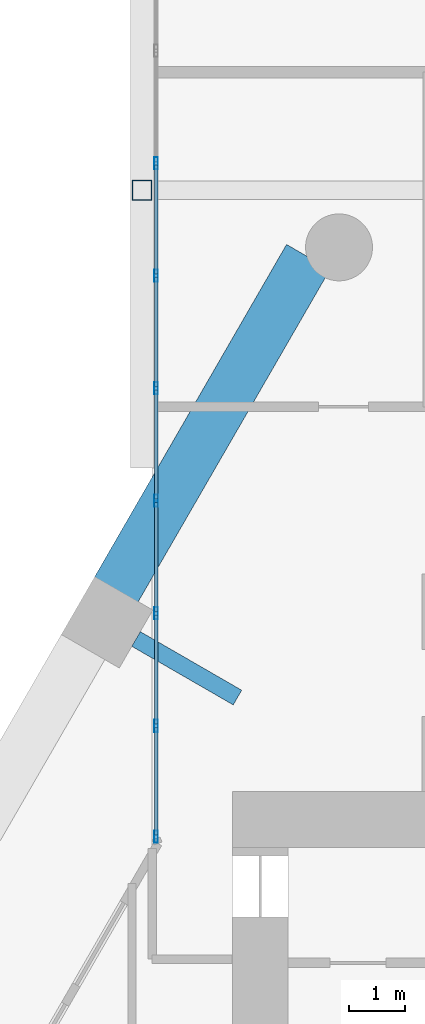
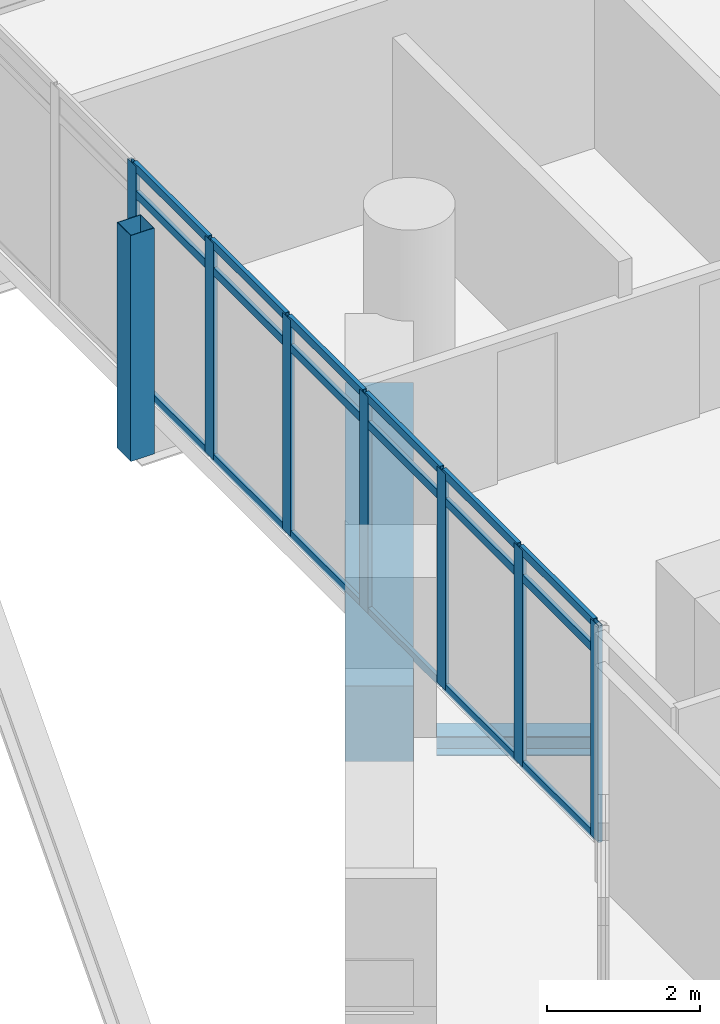
# One storey, part 16 of 37: 26 members, 2 beams, 1 element without a shape of its own.
"""IFC4 building model written with IfcOpenShell, lengths in metres."""

from ifc_helpers import new_model, si_unit, direction, frame, origin, origin_2d, place, context, subcontext, project, spatial, rectangle, hollow_rectangle, i_section, extrude, material, material_profile, profile_set, type_object, element, aggregate, save


model = new_model("IFC4")

# Units and contexts
model_context = context("Model", 3, precision=1e-05, world=origin(), true_north=direction((0.0, 1.0)))
body_context = subcontext(model_context, "Body", "Model", "MODEL_VIEW")
ifc_project = project(units=[si_unit("LENGTHUNIT", "METRE"), si_unit("AREAUNIT", "SQUARE_METRE"), si_unit("VOLUMEUNIT", "CUBIC_METRE"), si_unit("PLANEANGLEUNIT", "RADIAN"), si_unit("MASSUNIT", "GRAM", prefix="KILO")], contexts=[model_context])

# Site, building, storey
site_placement = place(None, origin())
site = spatial("IfcSite", under=ifc_project, at=site_placement, CompositionType="ELEMENT")
building_placement = place(site_placement, origin())
building = spatial("IfcBuilding", under=site, at=building_placement, Name="Ostrander Bayou Hotel Tower", CompositionType="ELEMENT")
storey_placement = place(building_placement, frame((0.0, 0.0, 131.0)))
storey = spatial("IfcBuildingStorey", under=building, at=storey_placement, Name="L32", CompositionType="ELEMENT", Elevation=131.0)

# Curtain wall, members
ifc_material_1 = material(Name="Aluminium and clear glass", Category="aluminium")
curtain_wall_type = type_object("IfcCurtainWallType", Name="CW-BAR glazed wall", PredefinedType="NOTDEFINED", material=ifc_material_1)
curtain_wall_placement = place(storey_placement, origin())
curtain_wall = element("IfcCurtainWall", 1, at=curtain_wall_placement, inside=storey, type_object=curtain_wall_type, Name="CW-BAR L32:SB3N:E", PredefinedType="NOTDEFINED")
ifc_material_2 = material(Name="Aluminium", Category="aluminium")
ifc_material_profile_1 = material_profile(ifc_material_2, hollow_rectangle(XDim=0.06005859375, YDim=0.219970703125, WallThickness=0.00390625, at=origin_2d()))
ifc_profile_set_1 = profile_set([ifc_material_profile_1], Name="Aluminium")
member_type_1 = type_object("IfcMemberType", Name="CW-BR mullion 60 x 220 mm", PredefinedType="MULLION", material=ifc_profile_set_1)
member_1_placement = place(storey_placement, frame((-13.3671875, 8.8916015625, 0.0), z_axis=(0.0, 0.0, 1.0), x_axis=(-1.0, 0.0, 0.0)))
member_1 = element("IfcMember", 2, at=member_1_placement, type_object=member_type_1, Name="CW-BAR mullion 1", PredefinedType="MULLION", context=body_context, shape_type="SweptSolid", body=[
    extrude(hollow_rectangle(XDim=0.06005859375, YDim=0.219970703125, WallThickness=0.00390625, at=origin_2d()), origin(), (0.0, 0.0, 1.0), 3.449951171875),
])
member_2_placement = place(storey_placement, frame((-13.3671875, 10.879150390625, 0.0), z_axis=(0.0, 0.0, 1.0), x_axis=(-1.0, 0.0, 0.0)))
member_2 = element("IfcMember", 3, at=member_2_placement, type_object=member_type_1, Name="CW-BAR mullion 2", PredefinedType="MULLION", context=body_context, shape_type="SweptSolid", body=[
    extrude(hollow_rectangle(XDim=0.06005859375, YDim=0.219970703125, WallThickness=0.00390625, at=origin_2d()), origin(), (0.0, 0.0, 1.0), 3.449951171875),
])
member_3_placement = place(storey_placement, frame((-13.3671875, 12.896728515625, 0.0), z_axis=(0.0, 0.0, 1.0), x_axis=(-1.0, 0.0, 0.0)))
member_3 = element("IfcMember", 4, at=member_3_placement, type_object=member_type_1, Name="CW-BAR mullion 3", PredefinedType="MULLION", context=body_context, shape_type="SweptSolid", body=[
    extrude(hollow_rectangle(XDim=0.06005859375, YDim=0.219970703125, WallThickness=0.00390625, at=origin_2d()), origin(), (0.0, 0.0, 1.0), 3.449951171875),
])
member_4_placement = place(storey_placement, frame((-13.3671875, 14.914306640625, 0.0), z_axis=(0.0, 0.0, 1.0), x_axis=(-1.0, 0.0, 0.0)))
member_4 = element("IfcMember", 5, at=member_4_placement, type_object=member_type_1, Name="CW-BAR mullion 4", PredefinedType="MULLION", context=body_context, shape_type="SweptSolid", body=[
    extrude(hollow_rectangle(XDim=0.06005859375, YDim=0.219970703125, WallThickness=0.00390625, at=origin_2d()), origin(), (0.0, 0.0, 1.0), 3.449951171875),
])
member_5_placement = place(storey_placement, frame((-13.3671875, 16.931884765625, 0.0), z_axis=(0.0, 0.0, 1.0), x_axis=(-1.0, 0.0, 0.0)))
member_5 = element("IfcMember", 6, at=member_5_placement, type_object=member_type_1, Name="CW-BAR mullion 5", PredefinedType="MULLION", context=body_context, shape_type="SweptSolid", body=[
    extrude(hollow_rectangle(XDim=0.06005859375, YDim=0.219970703125, WallThickness=0.00390625, at=origin_2d()), origin(), (0.0, 0.0, 1.0), 3.449951171875),
])
member_6_placement = place(storey_placement, frame((-13.3671875, 18.949462890625, 0.0), z_axis=(0.0, 0.0, 1.0), x_axis=(-1.0, 0.0, 0.0)))
member_6 = element("IfcMember", 7, at=member_6_placement, type_object=member_type_1, Name="CW-BAR mullion 6", PredefinedType="MULLION", context=body_context, shape_type="SweptSolid", body=[
    extrude(hollow_rectangle(XDim=0.06005859375, YDim=0.219970703125, WallThickness=0.00390625, at=origin_2d()), origin(), (0.0, 0.0, 1.0), 3.449951171875),
])
member_7_placement = place(storey_placement, frame((-13.3671875, 20.967041015625, 0.0), z_axis=(0.0, 0.0, 1.0), x_axis=(-1.0, 0.0, 0.0)))
member_7 = element("IfcMember", 8, at=member_7_placement, type_object=member_type_1, Name="CW-BAR mullion 7", PredefinedType="MULLION", context=body_context, shape_type="SweptSolid", body=[
    extrude(hollow_rectangle(XDim=0.06005859375, YDim=0.219970703125, WallThickness=0.00390625, at=origin_2d()), origin(), (0.0, 0.0, 1.0), 3.449951171875),
])
ifc_material_3 = material(Name="Aluminium", Category="aluminium")
ifc_material_profile_2 = material_profile(ifc_material_3, hollow_rectangle(XDim=0.06005859375, YDim=0.1298828125, WallThickness=0.00390625, at=origin_2d()))
ifc_profile_set_2 = profile_set([ifc_material_profile_2], Name="Aluminium")
member_type_2 = type_object("IfcMemberType", Name="CW-BR transom 60 x 130 mm", PredefinedType="USERDEFINED", material=ifc_profile_set_2)
member_8_placement = place(storey_placement, frame((-13.3671875, 8.921630859375, 0.030029296875), z_axis=(0.0, 1.0, 0.0), x_axis=(-1.0, 0.0, 0.0)))
member_8 = element("IfcMember", 9, at=member_8_placement, type_object=member_type_2, Name="CW-BAR transom 1.1", ObjectType="TRANSOM", PredefinedType="USERDEFINED", context=body_context, shape_type="SweptSolid", body=[
    extrude(hollow_rectangle(XDim=0.06005859375, YDim=0.1298828125, WallThickness=0.00390625, at=origin_2d()), origin(), (0.0, 0.0, 1.0), 1.927490234375),
])
member_9_placement = place(storey_placement, frame((-13.3671875, 8.921630859375, 3.0), z_axis=(0.0, 1.0, 0.0), x_axis=(-1.0, 0.0, 0.0)))
member_9 = element("IfcMember", 10, at=member_9_placement, type_object=member_type_2, Name="CW-BAR transom 1.2", ObjectType="TRANSOM", PredefinedType="USERDEFINED", context=body_context, shape_type="SweptSolid", body=[
    extrude(hollow_rectangle(XDim=0.06005859375, YDim=0.1298828125, WallThickness=0.00390625, at=origin_2d()), origin(), (0.0, 0.0, 1.0), 1.927490234375),
])
member_10_placement = place(storey_placement, frame((-13.3671875, 8.921630859375, 3.419921875), z_axis=(0.0, 1.0, 0.0), x_axis=(-1.0, 0.0, 0.0)))
member_10 = element("IfcMember", 11, at=member_10_placement, type_object=member_type_2, Name="CW-BAR transom 1.3", ObjectType="TRANSOM", PredefinedType="USERDEFINED", context=body_context, shape_type="SweptSolid", body=[
    extrude(hollow_rectangle(XDim=0.06005859375, YDim=0.1298828125, WallThickness=0.00390625, at=origin_2d()), origin(), (0.0, 0.0, 1.0), 1.927490234375),
])
member_11_placement = place(storey_placement, frame((-13.3671875, 10.9091796875, 0.030029296875), z_axis=(0.0, 1.0, 0.0), x_axis=(-1.0, 0.0, 0.0)))
member_11 = element("IfcMember", 12, at=member_11_placement, type_object=member_type_2, Name="CW-BAR transom 2.1", ObjectType="TRANSOM", PredefinedType="USERDEFINED", context=body_context, shape_type="SweptSolid", body=[
    extrude(hollow_rectangle(XDim=0.06005859375, YDim=0.1298828125, WallThickness=0.00390625, at=origin_2d()), origin(), (0.0, 0.0, 1.0), 1.95751953125),
])
member_12_placement = place(storey_placement, frame((-13.3671875, 10.9091796875, 3.0), z_axis=(0.0, 1.0, 0.0), x_axis=(-1.0, 0.0, 0.0)))
member_12 = element("IfcMember", 13, at=member_12_placement, type_object=member_type_2, Name="CW-BAR transom 2.2", ObjectType="TRANSOM", PredefinedType="USERDEFINED", context=body_context, shape_type="SweptSolid", body=[
    extrude(hollow_rectangle(XDim=0.06005859375, YDim=0.1298828125, WallThickness=0.00390625, at=origin_2d()), origin(), (0.0, 0.0, 1.0), 1.95751953125),
])
member_13_placement = place(storey_placement, frame((-13.3671875, 10.9091796875, 3.419921875), z_axis=(0.0, 1.0, 0.0), x_axis=(-1.0, 0.0, 0.0)))
member_13 = element("IfcMember", 14, at=member_13_placement, type_object=member_type_2, Name="CW-BAR transom 2.3", ObjectType="TRANSOM", PredefinedType="USERDEFINED", context=body_context, shape_type="SweptSolid", body=[
    extrude(hollow_rectangle(XDim=0.06005859375, YDim=0.1298828125, WallThickness=0.00390625, at=origin_2d()), origin(), (0.0, 0.0, 1.0), 1.95751953125),
])
member_14_placement = place(storey_placement, frame((-13.3671875, 12.9267578125, 0.030029296875), z_axis=(0.0, 1.0, 0.0), x_axis=(-1.0, 0.0, 0.0)))
member_14 = element("IfcMember", 15, at=member_14_placement, type_object=member_type_2, Name="CW-BAR transom 3.1", ObjectType="TRANSOM", PredefinedType="USERDEFINED", context=body_context, shape_type="SweptSolid", body=[
    extrude(hollow_rectangle(XDim=0.06005859375, YDim=0.1298828125, WallThickness=0.00390625, at=origin_2d()), origin(), (0.0, 0.0, 1.0), 1.95751953125),
])
member_15_placement = place(storey_placement, frame((-13.3671875, 12.9267578125, 3.0), z_axis=(0.0, 1.0, 0.0), x_axis=(-1.0, 0.0, 0.0)))
member_15 = element("IfcMember", 16, at=member_15_placement, type_object=member_type_2, Name="CW-BAR transom 3.2", ObjectType="TRANSOM", PredefinedType="USERDEFINED", context=body_context, shape_type="SweptSolid", body=[
    extrude(hollow_rectangle(XDim=0.06005859375, YDim=0.1298828125, WallThickness=0.00390625, at=origin_2d()), origin(), (0.0, 0.0, 1.0), 1.95751953125),
])
member_16_placement = place(storey_placement, frame((-13.3671875, 12.9267578125, 3.419921875), z_axis=(0.0, 1.0, 0.0), x_axis=(-1.0, 0.0, 0.0)))
member_16 = element("IfcMember", 17, at=member_16_placement, type_object=member_type_2, Name="CW-BAR transom 3.3", ObjectType="TRANSOM", PredefinedType="USERDEFINED", context=body_context, shape_type="SweptSolid", body=[
    extrude(hollow_rectangle(XDim=0.06005859375, YDim=0.1298828125, WallThickness=0.00390625, at=origin_2d()), origin(), (0.0, 0.0, 1.0), 1.95751953125),
])
member_17_placement = place(storey_placement, frame((-13.3671875, 14.9443359375, 0.030029296875), z_axis=(0.0, 1.0, 0.0), x_axis=(-1.0, 0.0, 0.0)))
member_17 = element("IfcMember", 18, at=member_17_placement, type_object=member_type_2, Name="CW-BAR transom 4.1", ObjectType="TRANSOM", PredefinedType="USERDEFINED", context=body_context, shape_type="SweptSolid", body=[
    extrude(hollow_rectangle(XDim=0.06005859375, YDim=0.1298828125, WallThickness=0.00390625, at=origin_2d()), origin(), (0.0, 0.0, 1.0), 1.95751953125),
])
member_18_placement = place(storey_placement, frame((-13.3671875, 14.9443359375, 3.0), z_axis=(0.0, 1.0, 0.0), x_axis=(-1.0, 0.0, 0.0)))
member_18 = element("IfcMember", 19, at=member_18_placement, type_object=member_type_2, Name="CW-BAR transom 4.2", ObjectType="TRANSOM", PredefinedType="USERDEFINED", context=body_context, shape_type="SweptSolid", body=[
    extrude(hollow_rectangle(XDim=0.06005859375, YDim=0.1298828125, WallThickness=0.00390625, at=origin_2d()), origin(), (0.0, 0.0, 1.0), 1.95751953125),
])
member_19_placement = place(storey_placement, frame((-13.3671875, 14.9443359375, 3.419921875), z_axis=(0.0, 1.0, 0.0), x_axis=(-1.0, 0.0, 0.0)))
member_19 = element("IfcMember", 20, at=member_19_placement, type_object=member_type_2, Name="CW-BAR transom 4.3", ObjectType="TRANSOM", PredefinedType="USERDEFINED", context=body_context, shape_type="SweptSolid", body=[
    extrude(hollow_rectangle(XDim=0.06005859375, YDim=0.1298828125, WallThickness=0.00390625, at=origin_2d()), origin(), (0.0, 0.0, 1.0), 1.95751953125),
])
member_20_placement = place(storey_placement, frame((-13.3671875, 16.9619140625, 0.030029296875), z_axis=(0.0, 1.0, 0.0), x_axis=(-1.0, 0.0, 0.0)))
member_20 = element("IfcMember", 21, at=member_20_placement, type_object=member_type_2, Name="CW-BAR transom 5.1", ObjectType="TRANSOM", PredefinedType="USERDEFINED", context=body_context, shape_type="SweptSolid", body=[
    extrude(hollow_rectangle(XDim=0.06005859375, YDim=0.1298828125, WallThickness=0.00390625, at=origin_2d()), origin(), (0.0, 0.0, 1.0), 1.95751953125),
])
member_21_placement = place(storey_placement, frame((-13.3671875, 16.9619140625, 3.0), z_axis=(0.0, 1.0, 0.0), x_axis=(-1.0, 0.0, 0.0)))
member_21 = element("IfcMember", 22, at=member_21_placement, type_object=member_type_2, Name="CW-BAR transom 5.2", ObjectType="TRANSOM", PredefinedType="USERDEFINED", context=body_context, shape_type="SweptSolid", body=[
    extrude(hollow_rectangle(XDim=0.06005859375, YDim=0.1298828125, WallThickness=0.00390625, at=origin_2d()), origin(), (0.0, 0.0, 1.0), 1.95751953125),
])
member_22_placement = place(storey_placement, frame((-13.3671875, 16.9619140625, 3.419921875), z_axis=(0.0, 1.0, 0.0), x_axis=(-1.0, 0.0, 0.0)))
member_22 = element("IfcMember", 23, at=member_22_placement, type_object=member_type_2, Name="CW-BAR transom 5.3", ObjectType="TRANSOM", PredefinedType="USERDEFINED", context=body_context, shape_type="SweptSolid", body=[
    extrude(hollow_rectangle(XDim=0.06005859375, YDim=0.1298828125, WallThickness=0.00390625, at=origin_2d()), origin(), (0.0, 0.0, 1.0), 1.95751953125),
])
member_23_placement = place(storey_placement, frame((-13.3671875, 18.9794921875, 0.030029296875), z_axis=(0.0, 1.0, 0.0), x_axis=(-1.0, 0.0, 0.0)))
member_23 = element("IfcMember", 24, at=member_23_placement, type_object=member_type_2, Name="CW-BAR transom 6.1", ObjectType="TRANSOM", PredefinedType="USERDEFINED", context=body_context, shape_type="SweptSolid", body=[
    extrude(hollow_rectangle(XDim=0.06005859375, YDim=0.1298828125, WallThickness=0.00390625, at=origin_2d()), origin(), (0.0, 0.0, 1.0), 1.95751953125),
])
member_24_placement = place(storey_placement, frame((-13.3671875, 18.9794921875, 3.0), z_axis=(0.0, 1.0, 0.0), x_axis=(-1.0, 0.0, 0.0)))
member_24 = element("IfcMember", 25, at=member_24_placement, type_object=member_type_2, Name="CW-BAR transom 6.2", ObjectType="TRANSOM", PredefinedType="USERDEFINED", context=body_context, shape_type="SweptSolid", body=[
    extrude(hollow_rectangle(XDim=0.06005859375, YDim=0.1298828125, WallThickness=0.00390625, at=origin_2d()), origin(), (0.0, 0.0, 1.0), 1.95751953125),
])
member_25_placement = place(storey_placement, frame((-13.3671875, 18.9794921875, 3.419921875), z_axis=(0.0, 1.0, 0.0), x_axis=(-1.0, 0.0, 0.0)))
member_25 = element("IfcMember", 26, at=member_25_placement, type_object=member_type_2, Name="CW-BAR transom 6.3", ObjectType="TRANSOM", PredefinedType="USERDEFINED", context=body_context, shape_type="SweptSolid", body=[
    extrude(hollow_rectangle(XDim=0.06005859375, YDim=0.1298828125, WallThickness=0.00390625, at=origin_2d()), origin(), (0.0, 0.0, 1.0), 1.95751953125),
])
aggregate(curtain_wall, [member_1, member_2, member_3, member_4, member_5, member_6, member_7, member_8, member_9, member_10, member_11, member_12, member_13, member_14, member_15, member_16, member_17, member_18, member_19, member_20, member_21, member_22, member_23, member_24, member_25])

# Beams
ifc_material_4 = material(Name="Steel ASTM A992", Category="steel")
ifc_material_profile_3 = material_profile(ifc_material_4, i_section(OverallWidth=0.3046875, OverallDepth=0.307861328125, WebThickness=0.010009765625, FlangeThickness=0.015380859375, at=origin_2d()))
ifc_profile_set_3 = profile_set([ifc_material_profile_3], Name="Steel ASTM A992")
beam_type_1 = type_object("IfcBeamType", Name="LB1 loggia bracket W12x65", PredefinedType="BEAM", material=ifc_profile_set_3)
beam_1_placement = place(storey_placement, frame((-13.727783203125, 12.43701171875, -0.453857421875), z_axis=(0.866009402589, -0.500027713859, 0.0), x_axis=(0.500027713859, 0.866009402589, 0.0)))
element("IfcBeam", 27, at=beam_1_placement, inside=storey, type_object=beam_type_1, Name="LB1 L32 NW1", PredefinedType="BEAM", context=body_context, shape_type="SweptSolid", body=[
    extrude(i_section(OverallWidth=0.3046875, OverallDepth=0.307861328125, WebThickness=0.010009765625, FlangeThickness=0.015380859375, at=origin_2d()), origin(), (0.0, 0.0, 1.0), 2.10009765625),
])
ifc_material_5 = material(Name="Concrete f'c 70 MPa", Category="concrete")
ifc_material_profile_4 = material_profile(ifc_material_5, rectangle(XDim=0.89990234375, YDim=1.199951171875, at=origin_2d()))
ifc_profile_set_4 = profile_set([ifc_material_profile_4], Name="Concrete f'c 70 MPa")
beam_type_2 = type_object("IfcBeamType", Name="SP2 spandrel beam 900 x 1200 mm f'c 70 MPa", PredefinedType="SPANDREL", material=ifc_profile_set_4)
beam_2_placement = place(storey_placement, frame((-10.639404296875, 19.286376953125, -0.60009765625), z_axis=(-0.499990732016, -0.866030754592, 0.0), x_axis=(0.866030754592, -0.499990732016, 0.0)))
element("IfcBeam", 28, at=beam_2_placement, inside=storey, type_object=beam_type_2, Name="SP2 L32 NW-1", PredefinedType="SPANDREL", context=body_context, shape_type="SweptSolid", body=[
    extrude(rectangle(XDim=0.89990234375, YDim=1.199951171875, at=origin_2d()), origin(), (0.0, 0.0, 1.0), 6.906005859375),
])

# Member
ifc_material_6 = material(Name="Steel ASTM A500 Gr C", Category="steel")
ifc_material_profile_5 = material_profile(ifc_material_6, hollow_rectangle(XDim=0.355712890625, YDim=0.355712890625, WallThickness=0.0087890625, at=origin_2d()))
ifc_profile_set_5 = profile_set([ifc_material_profile_5], Name="Steel ASTM A500 Gr C")
member_type_3 = type_object("IfcMemberType", Name="TH3 bar hanger HSS14x14x3/8", PredefinedType="POST", material=ifc_profile_set_5)
member_26_placement = place(storey_placement, frame((-13.6201171875, 20.481689453125, -0.771728515625), z_axis=(0.0, 0.0, 1.0), x_axis=(1.0, 0.0, 0.0)))
element("IfcMember", 29, at=member_26_placement, inside=storey, type_object=member_type_3, Name="TH3 SB3WA H3-1", PredefinedType="POST", context=body_context, shape_type="SweptSolid", body=[
    extrude(hollow_rectangle(XDim=0.355712890625, YDim=0.355712890625, WallThickness=0.0087890625, at=origin_2d()), origin(), (0.0, 0.0, 1.0), 3.599853515625),
])

save(model, "model.ifc")
